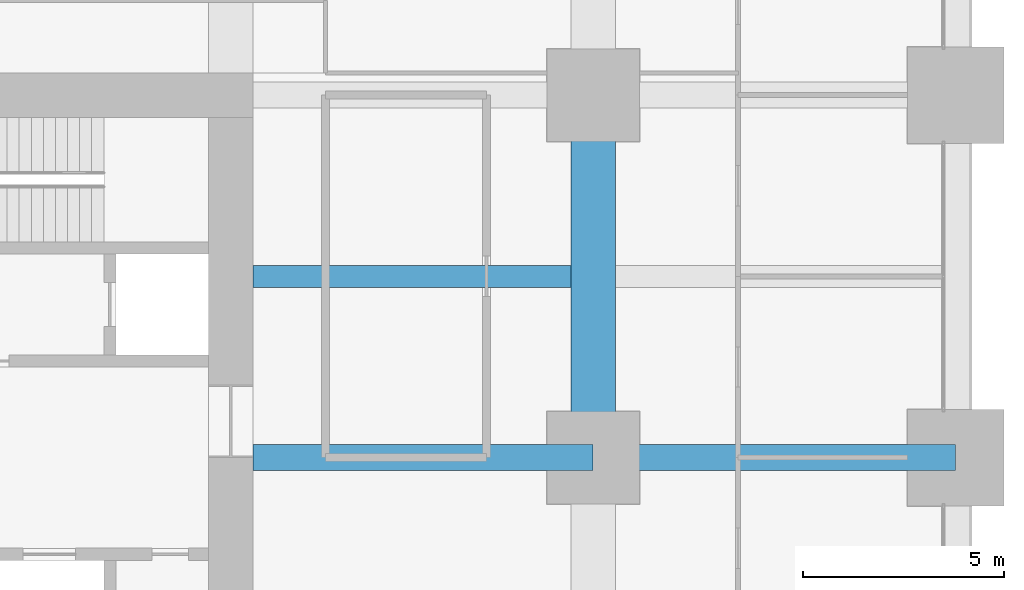
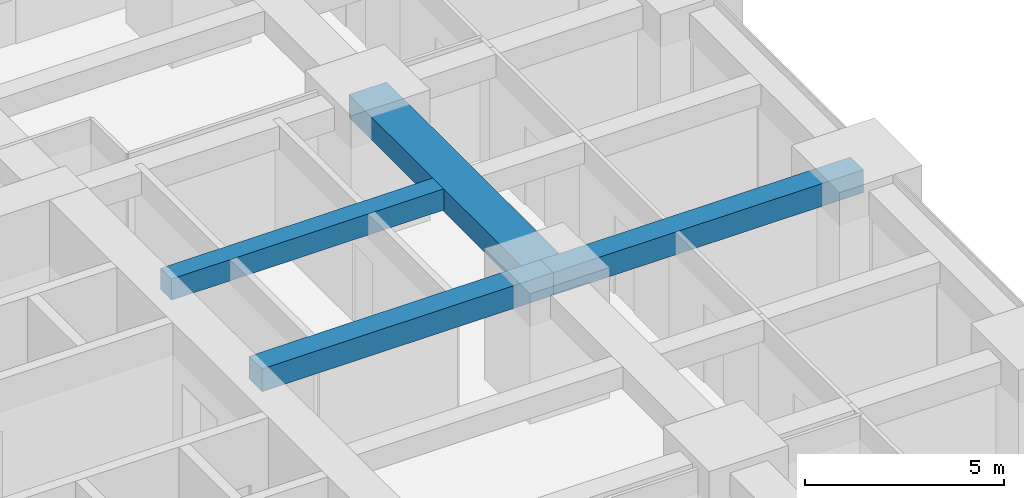
# One storey, part 21 of 45: 4 beams.
"""IFC4 building model written with IfcOpenShell, lengths in metres."""

from ifc_helpers import new_model, si_unit, direction, frame, origin, origin_2d, place, context, subcontext, project, spatial, rectangle, extrude, material, material_profile, profile_set, type_object, element, save


model = new_model("IFC4")

# Units and contexts
model_context = context("Model", 3, precision=1e-05, world=origin(), true_north=direction((0.0, 1.0)))
body_context = subcontext(model_context, "Body", "Model", "MODEL_VIEW")
ifc_project = project(units=[si_unit("LENGTHUNIT", "METRE"), si_unit("AREAUNIT", "SQUARE_METRE"), si_unit("VOLUMEUNIT", "CUBIC_METRE"), si_unit("PLANEANGLEUNIT", "RADIAN"), si_unit("MASSUNIT", "GRAM", prefix="KILO")], contexts=[model_context])

# Site, building, storey
site_placement = place(None, origin())
site = spatial("IfcSite", under=ifc_project, at=site_placement, CompositionType="ELEMENT")
building_placement = place(site_placement, origin())
building = spatial("IfcBuilding", under=site, at=building_placement, Name="Zorevar Civic Tower", CompositionType="ELEMENT")
storey_placement = place(building_placement, frame((0.0, 0.0, 23.800048828125)))
storey = spatial("IfcBuildingStorey", under=building, at=storey_placement, Name="L05", CompositionType="ELEMENT", Elevation=23.800048828125)

# Beams
ifc_material_1 = material(Name="Concrete C50/60", Category="concrete")
ifc_material_profile_1 = material_profile(ifc_material_1, rectangle(XDim=1.10009765625, YDim=0.699951171875, at=origin_2d()), Name="RC 1100x700")
ifc_profile_set_1 = profile_set([ifc_material_profile_1], Name="Concrete C50/60")
beam_type_1 = type_object("IfcBeamType", Name="Beam RC 1100x700", PredefinedType="BEAM", material=ifc_profile_set_1)
beam_1_placement = place(storey_placement, frame((54.0, 27.0, 3.39990234375), z_axis=(0.0, 1.0, 0.0), x_axis=(-1.0, 0.0, 0.0)))
element("IfcBeam", 1, at=beam_1_placement, inside=storey, type_object=beam_type_1, Name="Girder L06", PredefinedType="BEAM", context=body_context, shape_type="SweptSolid", body=[
    extrude(rectangle(XDim=1.10009765625, YDim=0.699951171875, at=origin_2d()), origin(), (0.0, 0.0, 1.0), 9.0),
])
ifc_material_2 = material(Name="Concrete C50/60", Category="concrete")
ifc_material_profile_2 = material_profile(ifc_material_2, rectangle(XDim=0.550048828125, YDim=0.64990234375, at=origin_2d()), Name="RC 550x650")
ifc_profile_set_2 = profile_set([ifc_material_profile_2], Name="Concrete C50/60")
beam_type_2 = type_object("IfcBeamType", Name="Beam RC 550x650", PredefinedType="BEAM", material=ifc_profile_set_2)
beam_2_placement = place(storey_placement, frame((45.550048828125, 31.5, 3.425048828125), z_axis=(1.0, 0.0, 0.0), x_axis=(0.0, 1.0, 0.0)))
element("IfcBeam", 2, at=beam_2_placement, inside=storey, type_object=beam_type_2, Name="Secondary beam L06", PredefinedType="BEAM", context=body_context, shape_type="SweptSolid", body=[
    extrude(rectangle(XDim=0.550048828125, YDim=0.64990234375, at=origin_2d()), origin(), (0.0, 0.0, 1.0), 7.89990234375),
])
ifc_material_3 = material(Name="Concrete C50/60", Category="concrete")
ifc_material_profile_3 = material_profile(ifc_material_3, rectangle(XDim=0.64990234375, YDim=0.699951171875, at=origin_2d()), Name="RC 650x700")
ifc_profile_set_3 = profile_set([ifc_material_profile_3], Name="Concrete C50/60")
beam_type_3 = type_object("IfcBeamType", Name="Beam RC 650x700", PredefinedType="BEAM", material=ifc_profile_set_3)
beam_3_placement = place(storey_placement, frame((45.550048828125, 27.0, 3.39990234375), z_axis=(1.0, 0.0, 0.0), x_axis=(0.0, 1.0, 0.0)))
element("IfcBeam", 3, at=beam_3_placement, inside=storey, type_object=beam_type_3, Name="Girder L06", PredefinedType="BEAM", context=body_context, shape_type="SweptSolid", body=[
    extrude(rectangle(XDim=0.64990234375, YDim=0.699951171875, at=origin_2d()), origin(), (0.0, 0.0, 1.0), 8.449951171875),
])
beam_4_placement = place(storey_placement, frame((54.0, 27.0, 3.39990234375), z_axis=(1.0, 0.0, 0.0), x_axis=(0.0, 1.0, 0.0)))
element("IfcBeam", 4, at=beam_4_placement, inside=storey, type_object=beam_type_3, Name="Girder L06", PredefinedType="BEAM", context=body_context, shape_type="SweptSolid", body=[
    extrude(rectangle(XDim=0.64990234375, YDim=0.699951171875, at=origin_2d()), origin(), (0.0, 0.0, 1.0), 9.0),
])

save(model, "model.ifc")
